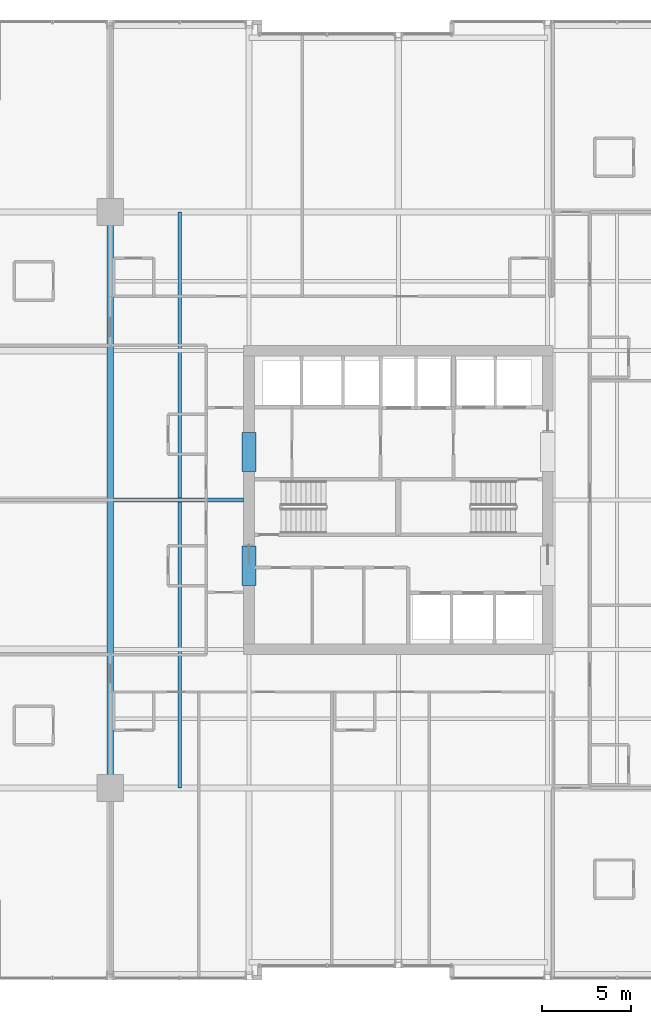
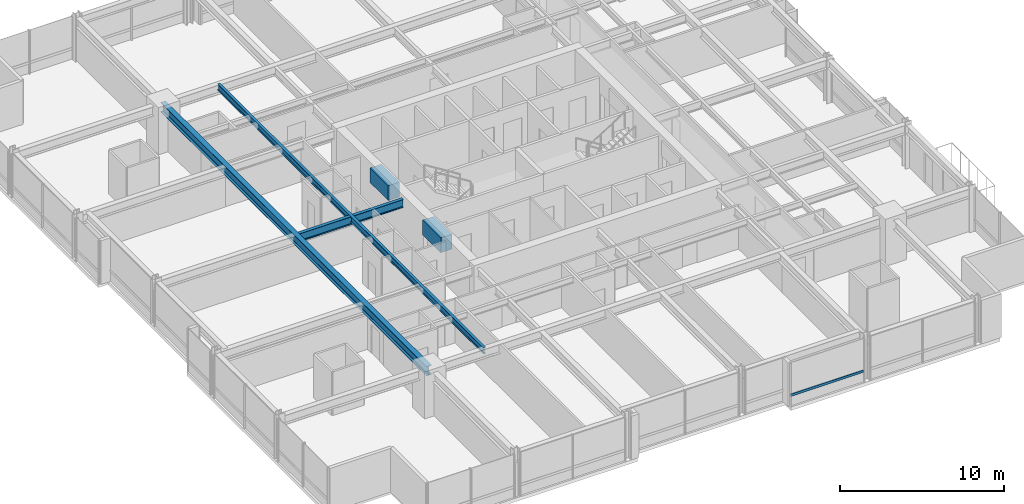
# One storey, part 10 of 33: 5 beams, 1 member, 1 element without a shape of its own.
"""IFC4 building model written with IfcOpenShell, lengths in metres."""

from ifc_helpers import new_model, si_unit, direction, frame, origin, origin_2d, place, context, subcontext, project, spatial, rectangle, hollow_rectangle, i_section, extrude, material, layer, layer_set, material_profile, profile_set, type_object, element, aggregate, save


model = new_model("IFC4")

# Units and contexts
model_context = context("Model", 3, precision=1e-05, world=origin(), true_north=direction((0.0, 1.0)))
body_context = subcontext(model_context, "Body", "Model", "MODEL_VIEW")
ifc_project = project(units=[si_unit("LENGTHUNIT", "METRE"), si_unit("AREAUNIT", "SQUARE_METRE"), si_unit("VOLUMEUNIT", "CUBIC_METRE"), si_unit("PLANEANGLEUNIT", "RADIAN"), si_unit("MASSUNIT", "GRAM", prefix="KILO")], contexts=[model_context])

# Site, building, storey
site_placement = place(None, origin())
site = spatial("IfcSite", under=ifc_project, at=site_placement, CompositionType="ELEMENT")
building_placement = place(site_placement, origin())
building = spatial("IfcBuilding", under=site, at=building_placement, Name="Drelvath Grand Hotel", CompositionType="ELEMENT")
storey_placement = place(building_placement, frame((0.0, 0.0, 119.800048828125)))
storey = spatial("IfcBuildingStorey", under=building, at=storey_placement, Name="L30", CompositionType="ELEMENT", Elevation=119.800048828125)

# Beams
ifc_material_1 = material(Name="Steel ASTM A992 Gr 50", Category="steel")
ifc_material_profile_1 = material_profile(ifc_material_1, i_section(OverallWidth=0.19140625, OverallDepth=0.4599609375, WebThickness=0.010009765625, FlangeThickness=0.01611328125, FilletRadius=0.01611328125, at=origin_2d()), Name="W18X55")
ifc_profile_set_1 = profile_set([ifc_material_profile_1], Name="Steel ASTM A992 Gr 50")
beam_type_1 = type_object("IfcBeamType", Name="Composite Floor Joist W18X55", PredefinedType="JOIST", material=ifc_profile_set_1)
beam_1_placement = place(storey_placement, frame((-12.300048828125, 10.800048828125, 3.010009765625), z_axis=(0.0, 1.0, 0.0), x_axis=(-1.0, 0.0, 0.0)))
element("IfcBeam", 1, at=beam_1_placement, inside=storey, type_object=beam_type_1, Name="L30 Wing Floor Joist J3", PredefinedType="JOIST", context=body_context, shape_type="SweptSolid", body=[
    extrude(i_section(OverallWidth=0.19140625, OverallDepth=0.4599609375, WebThickness=0.010009765625, FlangeThickness=0.01611328125, FilletRadius=0.01611328125, at=origin_2d()), origin(), (0.0, 0.0, 1.0), 32.39990234375),
])
ifc_material_2 = material(Name="Concrete f'c 70 MPa", Category="concrete")
ifc_material_profile_2 = material_profile(ifc_material_2, rectangle(XDim=0.800048828125, YDim=1.10009765625, at=origin_2d()), Name="CB800X1100")
ifc_profile_set_2 = profile_set([ifc_material_profile_2], Name="Concrete f'c 70 MPa")
beam_type_2 = type_object("IfcBeamType", Name="Core Coupling Lintel CB800X1100", PredefinedType="LINTEL", material=ifc_profile_set_2)
for number, where, z_axis, x_axis, name in (
    (2, (-8.39990234375, 22.199951171875, 2.68994140625), (0.0, 1.0, 0.0), (-1.0, 0.0, 0.0), "L30 Core Coupling Lintel WS"),
    (3, (-8.39990234375, 28.60009765625, 2.68994140625), (0.0, 1.0, 0.0), (-1.0, 0.0, 0.0), "L30 Core Coupling Lintel WN"),
):
    element("IfcBeam", number, at=place(storey_placement, frame(where, z_axis=z_axis, x_axis=x_axis)), inside=storey, type_object=beam_type_2, Name=name, PredefinedType="LINTEL", context=body_context, shape_type="SweptSolid", body=[
        extrude(rectangle(XDim=0.800048828125, YDim=1.10009765625, at=origin_2d()), origin(), (0.0, 0.0, 1.0), 2.199951171875),
    ])

# Curtain wall, member
ifc_material_3 = material(Name="Champagne Bronze Anodised Aluminium Frame", Category="aluminium")
ifc_layer = layer(ifc_material_3, 0.199951171875)
ifc_layer_set = layer_set([ifc_layer], Name="Champagne Bronze Anodised Aluminium Frame")
curtain_wall_type = type_object("IfcCurtainWallType", Name="Stick Curtain Wall CW-03 Champagne Bronze Mid-Rise", PredefinedType="NOTDEFINED", material=ifc_layer_set)
curtain_wall_placement = place(storey_placement, origin())
curtain_wall = element("IfcCurtainWall", 4, at=curtain_wall_placement, inside=storey, type_object=curtain_wall_type, Name="L30 CW-03 Curtain Wall CW03-L30-SE1", PredefinedType="NOTDEFINED")
ifc_material_profile_3 = material_profile(ifc_material_3, hollow_rectangle(XDim=0.074951171875, YDim=0.179931640625, WallThickness=0.0048828125, at=origin_2d()), Name="HSS180X75X5")
ifc_profile_set_3 = profile_set([ifc_material_profile_3], Name="Champagne Bronze Anodised Aluminium Frame")
member_type = type_object("IfcMemberType", Name="Curtain Wall Horizontal Transom CW-03 HSS180X75X5", PredefinedType="USERDEFINED", material=ifc_profile_set_3)
member_placement = place(storey_placement, frame((8.150634765625, 0.1201171875, 0.81005859375), z_axis=(-1.0, 0.0, 0.0), x_axis=(0.0, -1.0, 0.0)))
member = element("IfcMember", 5, at=member_placement, type_object=member_type, Name="CW03-L30-SE1 Sill Transom", ObjectType="TRANSOM", PredefinedType="USERDEFINED", context=body_context, shape_type="SweptSolid", body=[
    extrude(hollow_rectangle(XDim=0.074951171875, YDim=0.179931640625, WallThickness=0.0048828125, at=origin_2d()), origin(), (0.0, 0.0, 1.0), 5.110595703125),
])
aggregate(curtain_wall, [member])

# Beams
ifc_material_profile_4 = material_profile(ifc_material_1, i_section(OverallWidth=0.228271484375, OverallDepth=0.607666015625, WebThickness=0.01123046875, FlangeThickness=0.017333984375, FilletRadius=0.02001953125, at=origin_2d()), Name="W24X76")
ifc_profile_set_4 = profile_set([ifc_material_profile_4], Name="Steel ASTM A992 Gr 50")
beam_type_3 = type_object("IfcBeamType", Name="Primary Floor Girder W24X76", PredefinedType="BEAM", material=ifc_profile_set_4)
beam_2_placement = place(storey_placement, frame((-16.022705078125, 27.0, 2.93603515625), z_axis=(1.0, 0.0, 0.0), x_axis=(0.0, 1.0, 0.0)))
element("IfcBeam", 6, at=beam_2_placement, inside=storey, type_object=beam_type_3, Name="L30 West Core Tie E", PredefinedType="BEAM", context=body_context, shape_type="SweptSolid", body=[
    extrude(i_section(OverallWidth=0.228271484375, OverallDepth=0.607666015625, WebThickness=0.01123046875, FlangeThickness=0.017333984375, FilletRadius=0.02001953125, at=origin_2d()), origin(), (0.0, 0.0, 1.0), 7.32275390625),
])
ifc_material_profile_5 = material_profile(ifc_material_1, i_section(OverallWidth=0.354736328125, OverallDepth=0.695556640625, WebThickness=0.015380859375, FlangeThickness=0.025146484375, FilletRadius=0.02392578125, at=origin_2d()), Name="W27X146")
ifc_profile_set_5 = profile_set([ifc_material_profile_5], Name="Steel ASTM A992 Gr 50")
beam_type_4 = type_object("IfcBeamType", Name="Primary Floor Girder W27X146", PredefinedType="BEAM", material=ifc_profile_set_5)
beam_3_placement = place(storey_placement, frame((-16.199951171875, 10.800048828125, 2.892333984375), z_axis=(0.0, 1.0, 0.0), x_axis=(-1.0, 0.0, 0.0)))
element("IfcBeam", 7, at=beam_3_placement, inside=storey, type_object=beam_type_4, Name="L30 Mega Ring Girder West", PredefinedType="BEAM", context=body_context, shape_type="SweptSolid", body=[
    extrude(i_section(OverallWidth=0.354736328125, OverallDepth=0.695556640625, WebThickness=0.015380859375, FlangeThickness=0.025146484375, FilletRadius=0.02392578125, at=origin_2d()), origin(), (0.0, 0.0, 1.0), 32.39990234375),
])

save(model, "model.ifc")
